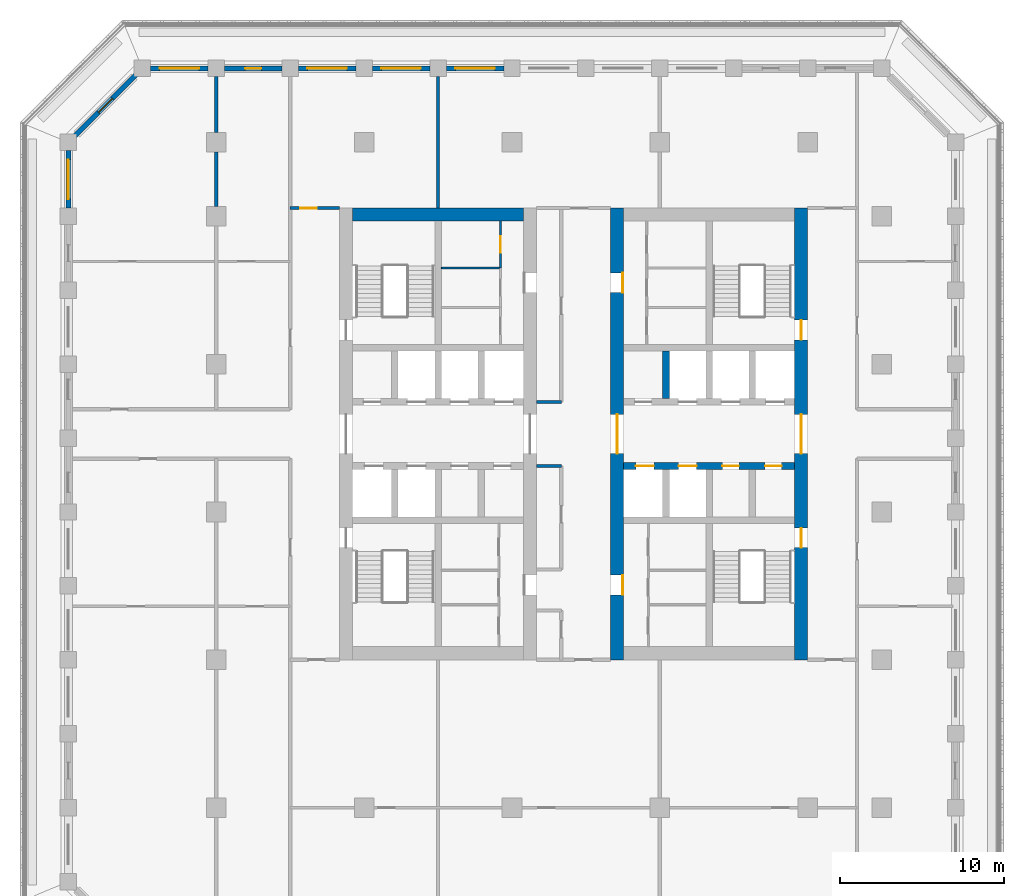
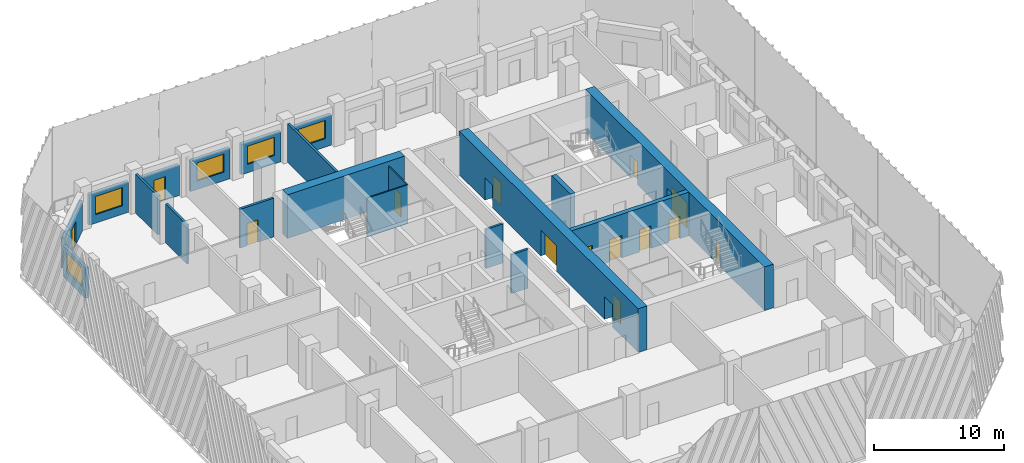
# One storey, part 6 of 16: 20 walls, 14 doors, 5 windows, 19 openings.
"""IFC4 building model written with IfcOpenShell, lengths in metres."""

from ifc_helpers import new_model, si_unit, direction, frame, frame_2d, origin, place, context, subcontext, project, spatial, rectangle, extrude, material, layer, layer_set, type_object, element, fill, save


model = new_model("IFC4")

# Units and contexts
model_context = context("Model", 3, precision=1e-05, world=origin(), true_north=direction((0.0, 1.0)))
body_context = subcontext(model_context, "Body", "Model", "MODEL_VIEW")
ifc_project = project(units=[si_unit("LENGTHUNIT", "METRE"), si_unit("AREAUNIT", "SQUARE_METRE"), si_unit("VOLUMEUNIT", "CUBIC_METRE"), si_unit("PLANEANGLEUNIT", "RADIAN"), si_unit("MASSUNIT", "GRAM", prefix="KILO")], contexts=[model_context])

# Site, building, storey
site_placement = place(None, origin())
site = spatial("IfcSite", under=ifc_project, at=site_placement, CompositionType="ELEMENT")
building_placement = place(site_placement, origin())
building = spatial("IfcBuilding", under=site, at=building_placement, Name="Corbel Stack Research Tower", CompositionType="ELEMENT")
storey_placement = place(building_placement, frame((0.0, 0.0, 173.199951171875)))
storey = spatial("IfcBuildingStorey", under=building, at=storey_placement, Name="L39", CompositionType="ELEMENT", Elevation=173.199951171875)

# Wall, openings, doors
ifc_material_1 = material(Name="Concrete C60/75", Category="concrete")
ifc_layer_1 = layer(ifc_material_1, 0.39990234375)
ifc_layer_set_1 = layer_set([ifc_layer_1], Name="Concrete C60/75")
wall_type_1 = type_object("IfcWallType", Name="CW-400-60", PredefinedType="SHEAR", material=ifc_layer_set_1)
wall_1_placement = place(storey_placement, frame((6.800048828125, 2.800048828125, 0.0), z_axis=(0.0, 0.0, 1.0), x_axis=(1.0, 0.0, 0.0)))
wall_1 = element("IfcWall", 1, at=wall_1_placement, inside=storey, type_object=wall_type_1, Name="East core wall, lobby south L39", PredefinedType="SHEAR", context=body_context, shape_type="SweptSolid", body=[
    extrude(rectangle(XDim=10.39990234375, YDim=0.39990234375, at=frame_2d((5.199951171875, 0.0))), origin(), (0.0, 0.0, 1.0), 4.10009765625),
])
opening_1_placement = place(wall_1_placement, frame((0.737548828125, 0.0, 0.0)))
opening_1 = element("IfcOpeningElement", 2, at=opening_1_placement, cuts=wall_1, Name="Opening LD-FS2", PredefinedType="OPENING", context=body_context, shape_type="SweptSolid", body=[
    extrude(rectangle(XDim=1.10009765625, YDim=2.10009765625, at=frame_2d((0.550048828125, 1.050048828125))), frame((0.0, 0.2099609375, 0.0), z_axis=(0.0, -1.0, 0.0), x_axis=(1.0, 0.0, 0.0)), (0.0, 0.0, 1.0), 0.419921875),
])
opening_2_placement = place(wall_1_placement, frame((3.33740234375, 0.0, 0.0)))
opening_2 = element("IfcOpeningElement", 3, at=opening_2_placement, cuts=wall_1, Name="Opening LD-GL2", PredefinedType="OPENING", context=body_context, shape_type="SweptSolid", body=[
    extrude(rectangle(XDim=1.10009765625, YDim=2.10009765625, at=frame_2d((0.550048828125, 1.050048828125))), frame((0.0, 0.2099609375, 0.0), z_axis=(0.0, -1.0, 0.0), x_axis=(1.0, 0.0, 0.0)), (0.0, 0.0, 1.0), 0.419921875),
])
opening_3_placement = place(wall_1_placement, frame((6.012451171875, 0.0, 0.0)))
opening_3 = element("IfcOpeningElement", 4, at=opening_3_placement, cuts=wall_1, Name="Opening CR-E12-S3", PredefinedType="OPENING", context=body_context, shape_type="SweptSolid", body=[
    extrude(rectangle(XDim=1.0, YDim=2.10009765625, at=frame_2d((0.5, 1.050048828125))), frame((0.0, 0.2099609375, 0.0), z_axis=(0.0, -1.0, 0.0), x_axis=(1.0, 0.0, 0.0)), (0.0, 0.0, 1.0), 0.419921875),
])
opening_4_placement = place(wall_1_placement, frame((8.612548828125, 0.0, 0.0)))
opening_4 = element("IfcOpeningElement", 5, at=opening_4_placement, cuts=wall_1, Name="Opening CR-E12-S4", PredefinedType="OPENING", context=body_context, shape_type="SweptSolid", body=[
    extrude(rectangle(XDim=1.0, YDim=2.10009765625, at=frame_2d((0.5, 1.050048828125))), frame((0.0, 0.2099609375, 0.0), z_axis=(0.0, -1.0, 0.0), x_axis=(1.0, 0.0, 0.0)), (0.0, 0.0, 1.0), 0.419921875),
])
ifc_material_2 = material(Name="Stainless steel landing door", Category="steel")
door_type_1 = type_object("IfcDoorType", Name="Lift landing door 1100 x 2100", OperationType="DOUBLE_DOOR_SLIDING", PredefinedType="DOOR", material=ifc_material_2)
door_1_placement = place(opening_1_placement, origin())
door_1 = element("IfcDoor", 6, at=door_1_placement, inside=storey, type_object=door_type_1, Name="Landing door FS2", OperationType="DOUBLE_DOOR_SLIDING", OverallHeight=2.10009765625, OverallWidth=1.10009765625, PredefinedType="DOOR", context=body_context, shape_type="SweptSolid", body=[
    extrude(rectangle(XDim=1.10009765625, YDim=2.10009765625, at=frame_2d((0.550048828125, 1.050048828125))), frame((0.0, 0.02490234375, 0.0), z_axis=(0.0, -1.0, 0.0), x_axis=(1.0, 0.0, 0.0)), (0.0, 0.0, 1.0), 0.050048828125),
])
fill(opening_1, door_1)
door_2_placement = place(opening_2_placement, origin())
door_2 = element("IfcDoor", 7, at=door_2_placement, inside=storey, type_object=door_type_1, Name="Landing door GL2", OperationType="DOUBLE_DOOR_SLIDING", OverallHeight=2.10009765625, OverallWidth=1.10009765625, PredefinedType="DOOR", context=body_context, shape_type="SweptSolid", body=[
    extrude(rectangle(XDim=1.10009765625, YDim=2.10009765625, at=frame_2d((0.550048828125, 1.050048828125))), frame((0.0, 0.02490234375, 0.0), z_axis=(0.0, -1.0, 0.0), x_axis=(1.0, 0.0, 0.0)), (0.0, 0.0, 1.0), 0.050048828125),
])
fill(opening_2, door_2)
ifc_material_3 = material(Name="Painted steel door", Category="steel")
door_type_2 = type_object("IfcDoorType", Name="Service door 1000 x 2100 FD60 left hand", OperationType="SINGLE_SWING_LEFT", PredefinedType="DOOR", material=ifc_material_3)
door_3_placement = place(opening_3_placement, origin())
door_3 = element("IfcDoor", 8, at=door_3_placement, inside=storey, type_object=door_type_2, Name="Staff WC door E core", OperationType="SINGLE_SWING_LEFT", OverallHeight=2.10009765625, OverallWidth=1.0, PredefinedType="DOOR", context=body_context, shape_type="SweptSolid", body=[
    extrude(rectangle(XDim=1.0, YDim=2.10009765625, at=frame_2d((0.5, 1.050048828125))), frame((0.0, 0.02490234375, 0.0), z_axis=(0.0, -1.0, 0.0), x_axis=(1.0, 0.0, 0.0)), (0.0, 0.0, 1.0), 0.050048828125),
])
fill(opening_3, door_3)
ifc_material_4 = material(Name="Painted steel door", Category="steel")
door_type_3 = type_object("IfcDoorType", Name="Service door 1000 x 2100 FD60 right hand", OperationType="SINGLE_SWING_RIGHT", PredefinedType="DOOR", material=ifc_material_4)
door_4_placement = place(opening_4_placement, origin())
door_4 = element("IfcDoor", 9, at=door_4_placement, inside=storey, type_object=door_type_3, Name="Laboratory consumables store door E core", OperationType="SINGLE_SWING_RIGHT", OverallHeight=2.10009765625, OverallWidth=1.0, PredefinedType="DOOR", context=body_context, shape_type="SweptSolid", body=[
    extrude(rectangle(XDim=1.0, YDim=2.10009765625, at=frame_2d((0.5, 1.050048828125))), frame((0.0, 0.02490234375, 0.0), z_axis=(0.0, -1.0, 0.0), x_axis=(1.0, 0.0, 0.0)), (0.0, 0.0, 1.0), 0.050048828125),
])
fill(opening_4, door_4)

# Walls
wall_2_placement = place(storey_placement, frame((9.375, 6.89990234375, 0.0), z_axis=(0.0, 0.0, 1.0), x_axis=(0.0, 1.0, 0.0)))
element("IfcWall", 10, at=wall_2_placement, inside=storey, type_object=wall_type_1, Name="East core wall, north shaft 1 L39", PredefinedType="SHEAR", context=body_context, shape_type="SweptSolid", body=[
    extrude(rectangle(XDim=2.900146484375, YDim=0.39990234375, at=frame_2d((1.4501953125, 0.0))), origin(), (0.0, 0.0, 1.0), 4.10009765625),
])
ifc_material_5 = material(Name="Concrete C60/75", Category="concrete")
ifc_layer_2 = layer(ifc_material_5, 0.800048828125)
ifc_layer_set_2 = layer_set([ifc_layer_2], Name="Concrete C60/75")
wall_type_2 = type_object("IfcWallType", Name="CW-800-60", PredefinedType="SHEAR", material=ifc_layer_set_2)
wall_3_placement = place(storey_placement, frame((-9.699951171875, 18.10009765625, 0.0), z_axis=(0.0, 0.0, 1.0), x_axis=(1.0, 0.0, 0.0)))
element("IfcWall", 11, at=wall_3_placement, inside=storey, type_object=wall_type_2, Name="West core wall, north end L39", PredefinedType="SHEAR", context=body_context, shape_type="SweptSolid", body=[
    extrude(rectangle(XDim=10.39990234375, YDim=0.800048828125, at=frame_2d((5.199951171875, 0.0))), origin(), (0.0, 0.0, 1.0), 4.10009765625),
])

# Wall, openings, doors
wall_4_placement = place(storey_placement, frame((6.39990234375, -9.0, 0.0), z_axis=(0.0, 0.0, 1.0), x_axis=(0.0, 1.0, 0.0)))
wall_4 = element("IfcWall", 12, at=wall_4_placement, inside=storey, type_object=wall_type_2, Name="East core wall, west face L39", PredefinedType="SHEAR", context=body_context, shape_type="SweptSolid", body=[
    extrude(rectangle(XDim=27.5, YDim=0.800048828125, at=frame_2d((13.75, 0.0))), origin(), (0.0, 0.0, 1.0), 4.10009765625),
])
opening_5_placement = place(wall_4_placement, frame((12.550048828125, 0.0, 0.0)))
opening_5 = element("IfcOpeningElement", 13, at=opening_5_placement, cuts=wall_4, Name="Opening CD-E-W", PredefinedType="OPENING", context=body_context, shape_type="SweptSolid", body=[
    extrude(rectangle(XDim=2.39990234375, YDim=2.39990234375, at=frame_2d((1.199951171875, 1.199951171875))), frame((0.0, 0.409912109375, 0.0), z_axis=(0.0, -1.0, 0.0), x_axis=(1.0, 0.0, 0.0)), (0.0, 0.0, 1.0), 0.820068359375),
])
opening_6_placement = place(wall_4_placement, frame((3.949951171875, 0.0, 0.0)))
opening_6 = element("IfcOpeningElement", 14, at=opening_6_placement, cuts=wall_4, Name="Opening CR-E12-W1-1200", PredefinedType="OPENING", context=body_context, shape_type="SweptSolid", body=[
    extrude(rectangle(XDim=1.199951171875, YDim=2.10009765625, at=frame_2d((0.60009765625, 1.050048828125))), frame((0.0, 0.409912109375, 0.0), z_axis=(0.0, -1.0, 0.0), x_axis=(1.0, 0.0, 0.0)), (0.0, 0.0, 1.0), 0.820068359375),
])
opening_7_placement = place(wall_4_placement, frame((22.35009765625, 0.0, 0.0)))
opening_7 = element("IfcOpeningElement", 15, at=opening_7_placement, cuts=wall_4, Name="Opening CR-E12-R1-1200", PredefinedType="OPENING", context=body_context, shape_type="SweptSolid", body=[
    extrude(rectangle(XDim=1.199951171875, YDim=2.10009765625, at=frame_2d((0.60009765625, 1.050048828125))), frame((0.0, 0.409912109375, 0.0), z_axis=(0.0, -1.0, 0.0), x_axis=(1.0, 0.0, 0.0)), (0.0, 0.0, 1.0), 0.820068359375),
])
ifc_material_6 = material(Name="Painted steel fire door", Category="steel")
door_type_4 = type_object("IfcDoorType", Name="Lobby door pair 2400 x 2400 FD30S", OperationType="DOUBLE_DOOR_DOUBLE_SWING", PredefinedType="DOOR", material=ifc_material_6)
door_5_placement = place(opening_5_placement, origin())
door_5 = element("IfcDoor", 16, at=door_5_placement, inside=storey, type_object=door_type_4, Name="Lift lobby door E core W", OperationType="DOUBLE_DOOR_DOUBLE_SWING", OverallHeight=2.39990234375, OverallWidth=2.39990234375, PredefinedType="DOOR", context=body_context, shape_type="SweptSolid", body=[
    extrude(rectangle(XDim=2.39990234375, YDim=2.39990234375, at=frame_2d((1.199951171875, 1.199951171875))), frame((0.0, 0.02490234375, 0.0), z_axis=(0.0, -1.0, 0.0), x_axis=(1.0, 0.0, 0.0)), (0.0, 0.0, 1.0), 0.050048828125),
])
fill(opening_5, door_5)
ifc_material_7 = material(Name="Painted steel door", Category="steel")
door_type_5 = type_object("IfcDoorType", Name="Service door 1200 x 2100 FD30 right hand", OperationType="SINGLE_SWING_RIGHT", PredefinedType="DOOR", material=ifc_material_7)
door_6_placement = place(opening_7_placement, origin())
door_6 = element("IfcDoor", 17, at=door_6_placement, inside=storey, type_object=door_type_5, Name="Service passage door E core", OperationType="SINGLE_SWING_RIGHT", OverallHeight=2.10009765625, OverallWidth=1.199951171875, PredefinedType="DOOR", context=body_context, shape_type="SweptSolid", body=[
    extrude(rectangle(XDim=1.199951171875, YDim=2.10009765625, at=frame_2d((0.60009765625, 1.050048828125))), frame((0.0, -0.3251953125, 0.0), z_axis=(0.0, -1.0, 0.0), x_axis=(1.0, 0.0, 0.0)), (0.0, 0.0, 1.0), 0.050048828125),
])
fill(opening_7, door_6)
ifc_material_8 = material(Name="Painted timber door", Category="wood")
door_type_6 = type_object("IfcDoorType", Name="WC door 1200 x 2100 right hand", OperationType="SINGLE_SWING_RIGHT", PredefinedType="DOOR", material=ifc_material_8)
door_7_placement = place(opening_6_placement, origin())
door_7 = element("IfcDoor", 18, at=door_7_placement, inside=storey, type_object=door_type_6, Name="WC lobby door E core", OperationType="SINGLE_SWING_RIGHT", OverallHeight=2.10009765625, OverallWidth=1.199951171875, PredefinedType="DOOR", context=body_context, shape_type="SweptSolid", body=[
    extrude(rectangle(XDim=1.199951171875, YDim=2.10009765625, at=frame_2d((0.60009765625, 1.050048828125))), frame((0.0, -0.3251953125, 0.0), z_axis=(0.0, -1.0, 0.0), x_axis=(1.0, 0.0, 0.0)), (0.0, 0.0, 1.0), 0.050048828125),
])
fill(opening_6, door_7)

wall_5_placement = place(storey_placement, frame((17.60009765625, -9.0, 0.0), z_axis=(0.0, 0.0, 1.0), x_axis=(0.0, 1.0, 0.0)))
wall_5 = element("IfcWall", 19, at=wall_5_placement, inside=storey, type_object=wall_type_2, Name="East core wall, east face L39", PredefinedType="SHEAR", context=body_context, shape_type="SweptSolid", body=[
    extrude(rectangle(XDim=27.5, YDim=0.800048828125, at=frame_2d((13.75, 0.0))), origin(), (0.0, 0.0, 1.0), 4.10009765625),
])
opening_8_placement = place(wall_5_placement, frame((12.550048828125, 0.0, 0.0)))
opening_8 = element("IfcOpeningElement", 20, at=opening_8_placement, cuts=wall_5, Name="Opening CD-E-E", PredefinedType="OPENING", context=body_context, shape_type="SweptSolid", body=[
    extrude(rectangle(XDim=2.39990234375, YDim=2.39990234375, at=frame_2d((1.199951171875, 1.199951171875))), frame((0.0, 0.409912109375, 0.0), z_axis=(0.0, -1.0, 0.0), x_axis=(1.0, 0.0, 0.0)), (0.0, 0.0, 1.0), 0.820068359375),
])
opening_9_placement = place(wall_5_placement, frame((6.824951171875, 0.0, 0.0)))
opening_9 = element("IfcOpeningElement", 21, at=opening_9_placement, cuts=wall_5, Name="Opening SD-ST-E1", PredefinedType="OPENING", context=body_context, shape_type="SweptSolid", body=[
    extrude(rectangle(XDim=1.199951171875, YDim=2.10009765625, at=frame_2d((0.60009765625, 1.050048828125))), frame((0.0, 0.409912109375, 0.0), z_axis=(0.0, -1.0, 0.0), x_axis=(1.0, 0.0, 0.0)), (0.0, 0.0, 1.0), 0.820068359375),
])
opening_10_placement = place(wall_5_placement, frame((19.47509765625, 0.0, 0.0)))
opening_10 = element("IfcOpeningElement", 22, at=opening_10_placement, cuts=wall_5, Name="Opening SD-ST-E2", PredefinedType="OPENING", context=body_context, shape_type="SweptSolid", body=[
    extrude(rectangle(XDim=1.199951171875, YDim=2.10009765625, at=frame_2d((0.60009765625, 1.050048828125))), frame((0.0, 0.409912109375, 0.0), z_axis=(0.0, -1.0, 0.0), x_axis=(1.0, 0.0, 0.0)), (0.0, 0.0, 1.0), 0.820068359375),
])
door_8_placement = place(opening_8_placement, origin())
door_8 = element("IfcDoor", 23, at=door_8_placement, inside=storey, type_object=door_type_4, Name="Lift lobby door E core E", OperationType="DOUBLE_DOOR_DOUBLE_SWING", OverallHeight=2.39990234375, OverallWidth=2.39990234375, PredefinedType="DOOR", context=body_context, shape_type="SweptSolid", body=[
    extrude(rectangle(XDim=2.39990234375, YDim=2.39990234375, at=frame_2d((1.199951171875, 1.199951171875))), frame((0.0, 0.02490234375, 0.0), z_axis=(0.0, -1.0, 0.0), x_axis=(1.0, 0.0, 0.0)), (0.0, 0.0, 1.0), 0.050048828125),
])
fill(opening_8, door_8)
ifc_material_9 = material(Name="Painted steel fire door", Category="steel")
door_type_7 = type_object("IfcDoorType", Name="Stair door 1200 x 2100 FD90 right hand", OperationType="SINGLE_SWING_RIGHT", PredefinedType="DOOR", material=ifc_material_9)
door_9_placement = place(opening_9_placement, frame((1.199951171875, 0.0, 0.0), z_axis=(0.0, 0.0, 1.0), x_axis=(-1.0, 0.0, 0.0)))
door_9 = element("IfcDoor", 24, at=door_9_placement, inside=storey, type_object=door_type_7, Name="Stair door ST-E1", OperationType="SINGLE_SWING_LEFT", OverallHeight=2.10009765625, OverallWidth=1.199951171875, PredefinedType="DOOR", context=body_context, shape_type="SweptSolid", body=[
    extrude(rectangle(XDim=1.199951171875, YDim=2.10009765625, at=frame_2d((0.60009765625, 1.050048828125))), frame((0.0, 0.02490234375, 0.0), z_axis=(0.0, -1.0, 0.0), x_axis=(1.0, 0.0, 0.0)), (0.0, 0.0, 1.0), 0.050048828125),
])
fill(opening_9, door_9)
door_10_placement = place(opening_10_placement, frame((1.199951171875, 0.0, 0.0), z_axis=(0.0, 0.0, 1.0), x_axis=(-1.0, 0.0, 0.0)))
door_10 = element("IfcDoor", 25, at=door_10_placement, inside=storey, type_object=door_type_7, Name="Stair door ST-E2", OperationType="SINGLE_SWING_LEFT", OverallHeight=2.10009765625, OverallWidth=1.199951171875, PredefinedType="DOOR", context=body_context, shape_type="SweptSolid", body=[
    extrude(rectangle(XDim=1.199951171875, YDim=2.10009765625, at=frame_2d((0.60009765625, 1.050048828125))), frame((0.0, 0.02490234375, 0.0), z_axis=(0.0, -1.0, 0.0), x_axis=(1.0, 0.0, 0.0)), (0.0, 0.0, 1.0), 0.050048828125),
])
fill(opening_10, door_10)

# Wall, opening, door
ifc_material_10 = material(Name="Gypsum board")
ifc_layer_3 = layer(ifc_material_10, 0.10009765625)
ifc_layer_set_3 = layer_set([ifc_layer_3], Name="Gypsum board")
wall_type_3 = type_object("IfcWallType", Name="Core partition 100", PredefinedType="PARTITIONING", material=ifc_layer_set_3)
wall_6_placement = place(storey_placement, frame((-0.699951171875, 14.85009765625, 0.0), z_axis=(0.0, 0.0, 1.0), x_axis=(0.0, 1.0, 0.0)))
wall_6 = element("IfcWall", 26, at=wall_6_placement, inside=storey, type_object=wall_type_3, Name="Core partition W", PredefinedType="PARTITIONING", context=body_context, shape_type="SweptSolid", body=[
    extrude(rectangle(XDim=2.849853515625, YDim=0.10009765625, at=frame_2d((1.4248046875, 0.0))), origin(), (0.0, 0.0, 1.0), 3.650146484375),
])
opening_11_placement = place(wall_6_placement, frame((0.925048828125, 0.0, 0.0)))
opening_11 = element("IfcOpeningElement", 27, at=opening_11_placement, cuts=wall_6, Name="Opening CR-W12-R4-1000", PredefinedType="OPENING", context=body_context, shape_type="SweptSolid", body=[
    extrude(rectangle(XDim=1.0, YDim=2.10009765625, at=frame_2d((0.5, 1.050048828125))), frame((0.0, 0.06005859375, 0.0), z_axis=(0.0, -1.0, 0.0), x_axis=(1.0, 0.0, 0.0)), (0.0, 0.0, 1.0), 0.1201171875),
])
ifc_material_11 = material(Name="Painted steel door", Category="steel")
door_type_8 = type_object("IfcDoorType", Name="Riser door 1000 x 2100 FD60 right hand", OperationType="SINGLE_SWING_RIGHT", PredefinedType="DOOR", material=ifc_material_11)
door_11_placement = place(opening_11_placement, origin())
door_11 = element("IfcDoor", 28, at=door_11_placement, inside=storey, type_object=door_type_8, Name="Electrical riser door W core", OperationType="SINGLE_SWING_RIGHT", OverallHeight=2.10009765625, OverallWidth=1.0, PredefinedType="DOOR", context=body_context, shape_type="SweptSolid", body=[
    extrude(rectangle(XDim=1.0, YDim=2.10009765625, at=frame_2d((0.5, 1.050048828125))), frame((0.0, 0.02490234375, 0.0), z_axis=(0.0, -1.0, 0.0), x_axis=(1.0, 0.0, 0.0)), (0.0, 0.0, 1.0), 0.050048828125),
])
fill(opening_11, door_11)

# Walls
wall_7_placement = place(storey_placement, frame((-4.300048828125, 14.85009765625, 0.0), z_axis=(0.0, 0.0, 1.0), x_axis=(1.0, 0.0, 0.0)))
element("IfcWall", 29, at=wall_7_placement, inside=storey, type_object=wall_type_3, Name="Core partition W", PredefinedType="PARTITIONING", context=body_context, shape_type="SweptSolid", body=[
    extrude(rectangle(XDim=3.60009765625, YDim=0.10009765625, at=frame_2d((1.800048828125, 0.0))), origin(), (0.0, 0.0, 1.0), 3.650146484375),
])
ifc_material_12 = material(Name="Fire-rated gypsum board partition on steel studs", Category="steel")
ifc_layer_4 = layer(ifc_material_12, 0.199951171875)
ifc_layer_set_4 = layer_set([ifc_layer_4], Name="Fire-rated gypsum board partition on steel studs")
wall_type_4 = type_object("IfcWallType", Name="Fire-rated partition 200 EI 60", PredefinedType="PARTITIONING", material=ifc_layer_set_4)
wall_8_placement = place(storey_placement, frame((-18.0, 18.60009765625, 0.0), z_axis=(0.0, 0.0, 1.0), x_axis=(0.0, 1.0, 0.0)))
element("IfcWall", 30, at=wall_8_placement, inside=storey, type_object=wall_type_4, Name="Partition L39-007", PredefinedType="PARTITIONING", context=body_context, shape_type="SweptSolid", body=[
    extrude(rectangle(XDim=3.2998046875, YDim=0.199951171875, at=frame_2d((1.64990234375, 0.0))), origin(), (0.0, 0.0, 1.0), 3.650146484375),
])
wall_9_placement = place(storey_placement, frame((-18.0, 23.10009765625, 0.0), z_axis=(0.0, 0.0, 1.0), x_axis=(0.0, 1.0, 0.0)))
element("IfcWall", 31, at=wall_9_placement, inside=storey, type_object=wall_type_4, Name="Partition L39-008", PredefinedType="PARTITIONING", context=body_context, shape_type="SweptSolid", body=[
    extrude(rectangle(XDim=3.39990234375, YDim=0.199951171875, at=frame_2d((1.699951171875, 0.0))), origin(), (0.0, 0.0, 1.0), 3.650146484375),
])
wall_10_placement = place(storey_placement, frame((-4.5, 18.5, 0.0), z_axis=(0.0, 0.0, 1.0), x_axis=(0.0, 1.0, 0.0)))
element("IfcWall", 32, at=wall_10_placement, inside=storey, type_object=wall_type_4, Name="Partition L39-012", PredefinedType="PARTITIONING", context=body_context, shape_type="SweptSolid", body=[
    extrude(rectangle(XDim=8.0, YDim=0.199951171875, at=frame_2d((4.0, 0.0))), origin(), (0.0, 0.0, 1.0), 3.650146484375),
])
for number, where, z_axis, x_axis, name in (
    (33, (1.5, 2.800048828125, 0.0), (0.0, 0.0, 1.0), (1.0, 0.0, 0.0), "Partition L39-034"),
    (34, (1.5, 6.699951171875, 0.0), (0.0, 0.0, 1.0), (1.0, 0.0, 0.0), "Partition L39-039"),
):
    element("IfcWall", number, at=place(storey_placement, frame(where, z_axis=z_axis, x_axis=x_axis)), inside=storey, type_object=wall_type_4, Name=name, PredefinedType="PARTITIONING", context=body_context, shape_type="SweptSolid", body=[
        extrude(rectangle(XDim=1.5, YDim=0.199951171875, at=frame_2d((0.75, 0.0))), origin(), (0.0, 0.0, 1.0), 3.650146484375),
    ])

# Wall, opening, door
wall_11_placement = place(storey_placement, frame((-13.5, 18.5, 0.0), z_axis=(0.0, 0.0, 1.0), x_axis=(1.0, 0.0, 0.0)))
wall_11 = element("IfcWall", 35, at=wall_11_placement, inside=storey, type_object=wall_type_4, Name="Partition L39-042", PredefinedType="PARTITIONING", context=body_context, shape_type="SweptSolid", body=[
    extrude(rectangle(XDim=3.0, YDim=0.199951171875, at=frame_2d((1.5, 0.0))), origin(), (0.0, 0.0, 1.0), 3.650146484375),
])
opening_12_placement = place(wall_11_placement, frame((0.60009765625, 0.0, 0.0)))
opening_12 = element("IfcOpeningElement", 36, at=opening_12_placement, cuts=wall_11, Name="Opening B5V1-020", PredefinedType="OPENING", context=body_context, shape_type="SweptSolid", body=[
    extrude(rectangle(XDim=1.0, YDim=2.10009765625, at=frame_2d((0.5, 1.050048828125))), frame((0.0, 0.10986328125, 0.0), z_axis=(0.0, -1.0, 0.0), x_axis=(1.0, 0.0, 0.0)), (0.0, 0.0, 1.0), 0.219970703125),
])
ifc_material_13 = material(Name="Painted steel fire door", Category="steel")
door_type_9 = type_object("IfcDoorType", Name="Fire door FD30S 1000 x 2100", OperationType="NOTDEFINED", PredefinedType="DOOR", material=ifc_material_13)
door_12_placement = place(opening_12_placement, origin())
door_12 = element("IfcDoor", 37, at=door_12_placement, inside=storey, type_object=door_type_9, Name="Door B5V1-020", OperationType="SINGLE_SWING_LEFT", OverallHeight=2.10009765625, OverallWidth=1.0, PredefinedType="DOOR", context=body_context, shape_type="SweptSolid", body=[
    extrude(rectangle(XDim=1.0, YDim=2.10009765625, at=frame_2d((0.5, 1.050048828125))), frame((0.0, 0.02490234375, 0.0), z_axis=(0.0, -1.0, 0.0), x_axis=(1.0, 0.0, 0.0)), (0.0, 0.0, 1.0), 0.050048828125),
])
fill(opening_12, door_12)

# Wall, opening, window
ifc_material_14 = material(Name="Concrete C45/55", Category="concrete")
ifc_layer_5 = layer(ifc_material_14, 0.300048828125)
ifc_layer_set_5 = layer_set([ifc_layer_5], Name="Concrete C45/55")
wall_type_5 = type_object("IfcWallType", Name="Terracotta-faced concrete wall 300", PredefinedType="SOLIDWALL", material=ifc_layer_set_5)
wall_12_placement = place(storey_placement, frame((-4.0, 27.0, 0.0), z_axis=(0.0, 0.0, 1.0), x_axis=(1.0, 0.0, 0.0)))
wall_12 = element("IfcWall", 38, at=wall_12_placement, inside=storey, type_object=wall_type_5, Name="Facade wall L39 N06", PredefinedType="SOLIDWALL", context=body_context, shape_type="SweptSolid", body=[
    extrude(rectangle(XDim=3.5, YDim=0.300048828125, at=frame_2d((1.75, 0.0))), origin(), (0.0, 0.0, 1.0), 2.85009765625),
])
opening_13_placement = place(wall_12_placement, frame((0.550048828125, 0.0, 0.800048828125)))
opening_13 = element("IfcOpeningElement", 39, at=opening_13_placement, cuts=wall_12, Name="Opening W1", PredefinedType="OPENING", context=body_context, shape_type="SweptSolid", body=[
    extrude(rectangle(XDim=2.39990234375, YDim=1.699951171875, at=frame_2d((1.199951171875, 0.85009765625))), frame((0.0, 0.159912109375, 0.0), z_axis=(0.0, -1.0, 0.0), x_axis=(1.0, 0.0, 0.0)), (0.0, 0.0, 1.0), 0.320068359375),
])
ifc_material_15 = material(Name="Aluminium frame, clear double glazing", Category="aluminium")
window_type = type_object("IfcWindowType", Name="Window W1 2400 x 1700", PartitioningType="SINGLE_PANEL", PredefinedType="WINDOW", material=ifc_material_15)
window_1_placement = place(opening_13_placement, origin())
window_1 = element("IfcWindow", 40, at=window_1_placement, inside=storey, type_object=window_type, Name="Window W1 L39 N06", OverallHeight=1.699951171875, OverallWidth=2.39990234375, PartitioningType="SINGLE_PANEL", PredefinedType="WINDOW", context=body_context, shape_type="SweptSolid", body=[
    extrude(rectangle(XDim=2.39990234375, YDim=1.699951171875, at=frame_2d((1.199951171875, 0.85009765625))), frame((0.0, 0.030029296875, 0.0), z_axis=(0.0, -1.0, 0.0), x_axis=(1.0, 0.0, 0.0)), (0.0, 0.0, 1.0), 0.06005859375),
])
fill(opening_13, window_1)

wall_13_placement = place(storey_placement, frame((-8.5, 27.0, 0.0), z_axis=(0.0, 0.0, 1.0), x_axis=(1.0, 0.0, 0.0)))
wall_13 = element("IfcWall", 41, at=wall_13_placement, inside=storey, type_object=wall_type_5, Name="Facade wall L39 N07", PredefinedType="SOLIDWALL", context=body_context, shape_type="SweptSolid", body=[
    extrude(rectangle(XDim=3.5, YDim=0.300048828125, at=frame_2d((1.75, 0.0))), origin(), (0.0, 0.0, 1.0), 2.85009765625),
])
opening_14_placement = place(wall_13_placement, frame((0.550048828125, 0.0, 0.800048828125)))
opening_14 = element("IfcOpeningElement", 42, at=opening_14_placement, cuts=wall_13, Name="Opening W1", PredefinedType="OPENING", context=body_context, shape_type="SweptSolid", body=[
    extrude(rectangle(XDim=2.39990234375, YDim=1.699951171875, at=frame_2d((1.199951171875, 0.85009765625))), frame((0.0, 0.159912109375, 0.0), z_axis=(0.0, -1.0, 0.0), x_axis=(1.0, 0.0, 0.0)), (0.0, 0.0, 1.0), 0.320068359375),
])
window_2_placement = place(opening_14_placement, origin())
window_2 = element("IfcWindow", 43, at=window_2_placement, inside=storey, type_object=window_type, Name="Window W1 L39 N07", OverallHeight=1.699951171875, OverallWidth=2.39990234375, PartitioningType="SINGLE_PANEL", PredefinedType="WINDOW", context=body_context, shape_type="SweptSolid", body=[
    extrude(rectangle(XDim=2.39990234375, YDim=1.699951171875, at=frame_2d((1.199951171875, 0.85009765625))), frame((0.0, 0.030029296875, 0.0), z_axis=(0.0, -1.0, 0.0), x_axis=(1.0, 0.0, 0.0)), (0.0, 0.0, 1.0), 0.06005859375),
])
fill(opening_14, window_2)

wall_14_placement = place(storey_placement, frame((-13.0, 27.0, 0.0), z_axis=(0.0, 0.0, 1.0), x_axis=(1.0, 0.0, 0.0)))
wall_14 = element("IfcWall", 44, at=wall_14_placement, inside=storey, type_object=wall_type_5, Name="Facade wall L39 N08", PredefinedType="SOLIDWALL", context=body_context, shape_type="SweptSolid", body=[
    extrude(rectangle(XDim=3.5, YDim=0.300048828125, at=frame_2d((1.75, 0.0))), origin(), (0.0, 0.0, 1.0), 2.85009765625),
])
opening_15_placement = place(wall_14_placement, frame((0.550048828125, 0.0, 0.800048828125)))
opening_15 = element("IfcOpeningElement", 45, at=opening_15_placement, cuts=wall_14, Name="Opening W1", PredefinedType="OPENING", context=body_context, shape_type="SweptSolid", body=[
    extrude(rectangle(XDim=2.39990234375, YDim=1.699951171875, at=frame_2d((1.199951171875, 0.85009765625))), frame((0.0, 0.159912109375, 0.0), z_axis=(0.0, -1.0, 0.0), x_axis=(1.0, 0.0, 0.0)), (0.0, 0.0, 1.0), 0.320068359375),
])
window_3_placement = place(opening_15_placement, origin())
window_3 = element("IfcWindow", 46, at=window_3_placement, inside=storey, type_object=window_type, Name="Window W1 L39 N08", OverallHeight=1.699951171875, OverallWidth=2.39990234375, PartitioningType="SINGLE_PANEL", PredefinedType="WINDOW", context=body_context, shape_type="SweptSolid", body=[
    extrude(rectangle(XDim=2.39990234375, YDim=1.699951171875, at=frame_2d((1.199951171875, 0.85009765625))), frame((0.0, 0.030029296875, 0.0), z_axis=(0.0, -1.0, 0.0), x_axis=(1.0, 0.0, 0.0)), (0.0, 0.0, 1.0), 0.06005859375),
])
fill(opening_15, window_3)

# Wall, opening, door
wall_15_placement = place(storey_placement, frame((-17.5, 27.0, 0.0), z_axis=(0.0, 0.0, 1.0), x_axis=(1.0, 0.0, 0.0)))
wall_15 = element("IfcWall", 47, at=wall_15_placement, inside=storey, type_object=wall_type_5, Name="Facade wall L39 N09", PredefinedType="SOLIDWALL", context=body_context, shape_type="SweptSolid", body=[
    extrude(rectangle(XDim=3.5, YDim=0.300048828125, at=frame_2d((1.75, 0.0))), origin(), (0.0, 0.0, 1.0), 2.85009765625),
])
opening_16_placement = place(wall_15_placement, frame((1.25, 0.0, 0.0)))
opening_16 = element("IfcOpeningElement", 48, at=opening_16_placement, cuts=wall_15, Name="Opening L39-B08", PredefinedType="OPENING", context=body_context, shape_type="SweptSolid", body=[
    extrude(rectangle(XDim=1.0, YDim=2.199951171875, at=frame_2d((0.5, 1.10009765625))), frame((0.0, 0.159912109375, 0.0), z_axis=(0.0, -1.0, 0.0), x_axis=(1.0, 0.0, 0.0)), (0.0, 0.0, 1.0), 0.320068359375),
])
ifc_material_16 = material(Name="Aluminium frame, clear double glazing", Category="aluminium")
door_type_10 = type_object("IfcDoorType", Name="Balcony door BD1 1000 x 2200", OperationType="NOTDEFINED", PredefinedType="DOOR", material=ifc_material_16)
door_13_placement = place(opening_16_placement, origin())
door_13 = element("IfcDoor", 49, at=door_13_placement, inside=storey, type_object=door_type_10, Name="Balcony door L39-B08", OperationType="SINGLE_SWING_RIGHT", OverallHeight=2.199951171875, OverallWidth=1.0, PredefinedType="DOOR", context=body_context, shape_type="SweptSolid", body=[
    extrude(rectangle(XDim=1.0, YDim=2.199951171875, at=frame_2d((0.5, 1.10009765625))), frame((0.0, 0.02490234375, 0.0), z_axis=(0.0, -1.0, 0.0), x_axis=(1.0, 0.0, 0.0)), (0.0, 0.0, 1.0), 0.050048828125),
])
fill(opening_16, door_13)

# Wall, opening, window
wall_16_placement = place(storey_placement, frame((-22.0, 27.0, 0.0), z_axis=(0.0, 0.0, 1.0), x_axis=(1.0, 0.0, 0.0)))
wall_16 = element("IfcWall", 50, at=wall_16_placement, inside=storey, type_object=wall_type_5, Name="Facade wall L39 N10", PredefinedType="SOLIDWALL", context=body_context, shape_type="SweptSolid", body=[
    extrude(rectangle(XDim=3.5, YDim=0.300048828125, at=frame_2d((1.75, 0.0))), origin(), (0.0, 0.0, 1.0), 2.85009765625),
])
opening_17_placement = place(wall_16_placement, frame((0.550048828125, 0.0, 0.800048828125)))
opening_17 = element("IfcOpeningElement", 51, at=opening_17_placement, cuts=wall_16, Name="Opening W1", PredefinedType="OPENING", context=body_context, shape_type="SweptSolid", body=[
    extrude(rectangle(XDim=2.39990234375, YDim=1.699951171875, at=frame_2d((1.199951171875, 0.85009765625))), frame((0.0, 0.159912109375, 0.0), z_axis=(0.0, -1.0, 0.0), x_axis=(1.0, 0.0, 0.0)), (0.0, 0.0, 1.0), 0.320068359375),
])
window_4_placement = place(opening_17_placement, origin())
window_4 = element("IfcWindow", 52, at=window_4_placement, inside=storey, type_object=window_type, Name="Window W1 L39 N10", OverallHeight=1.699951171875, OverallWidth=2.39990234375, PartitioningType="SINGLE_PANEL", PredefinedType="WINDOW", context=body_context, shape_type="SweptSolid", body=[
    extrude(rectangle(XDim=2.39990234375, YDim=1.699951171875, at=frame_2d((1.199951171875, 0.85009765625))), frame((0.0, 0.030029296875, 0.0), z_axis=(0.0, -1.0, 0.0), x_axis=(1.0, 0.0, 0.0)), (0.0, 0.0, 1.0), 0.06005859375),
])
fill(opening_17, window_4)

# Wall, opening, door
wall_17_placement = place(storey_placement, frame((-26.606201171875, 22.893798828125, 0.0), z_axis=(0.0, 0.0, 1.0), x_axis=(0.707106781187, 0.707106781187, 0.0)))
wall_17 = element("IfcWall", 53, at=wall_17_placement, inside=storey, type_object=wall_type_5, Name="Facade wall L39 NW01", PredefinedType="SOLIDWALL", context=body_context, shape_type="SweptSolid", body=[
    extrude(rectangle(XDim=5.250244140625, YDim=0.300048828125, at=frame_2d((2.625, 0.0))), origin(), (0.0, 0.0, 1.0), 2.85009765625),
])
opening_18_placement = place(wall_17_placement, frame((2.02490234375, 0.0, 0.0)))
opening_18 = element("IfcOpeningElement", 54, at=opening_18_placement, cuts=wall_17, Name="Opening L39-B09", PredefinedType="OPENING", context=body_context, shape_type="SweptSolid", body=[
    extrude(rectangle(XDim=1.199951171875, YDim=2.199951171875, at=frame_2d((0.60009765625, 1.10009765625))), frame((0.0, 0.159912109375, 0.0), z_axis=(0.0, -1.0, 0.0), x_axis=(1.0, 0.0, 0.0)), (0.0, 0.0, 1.0), 0.320068359375),
])
ifc_material_17 = material(Name="Aluminium frame, clear double glazing", Category="aluminium")
door_type_11 = type_object("IfcDoorType", Name="Balcony door BD2 1200 x 2200", OperationType="NOTDEFINED", PredefinedType="DOOR", material=ifc_material_17)
door_14_placement = place(opening_18_placement, origin())
door_14 = element("IfcDoor", 55, at=door_14_placement, inside=storey, type_object=door_type_11, Name="Balcony door L39-B09", OperationType="SINGLE_SWING_RIGHT", OverallHeight=2.199951171875, OverallWidth=1.199951171875, PredefinedType="DOOR", context=body_context, shape_type="SweptSolid", body=[
    extrude(rectangle(XDim=1.199951171875, YDim=2.199951171875, at=frame_2d((0.60009765625, 1.10009765625))), frame((0.0, 0.02490234375, 0.0), z_axis=(0.0, -1.0, 0.0), x_axis=(1.0, 0.0, 0.0)), (0.0, 0.0, 1.0), 0.050048828125),
])
fill(opening_18, door_14)

# Wall, opening, window
wall_18_placement = place(storey_placement, frame((-27.0, 18.5, 0.0), z_axis=(0.0, 0.0, 1.0), x_axis=(0.0, 1.0, 0.0)))
wall_18 = element("IfcWall", 56, at=wall_18_placement, inside=storey, type_object=wall_type_5, Name="Facade wall L39 W01", PredefinedType="SOLIDWALL", context=body_context, shape_type="SweptSolid", body=[
    extrude(rectangle(XDim=3.5, YDim=0.300048828125, at=frame_2d((1.75, 0.0))), origin(), (0.0, 0.0, 1.0), 2.85009765625),
])
opening_19_placement = place(wall_18_placement, frame((0.550048828125, 0.0, 0.800048828125)))
opening_19 = element("IfcOpeningElement", 57, at=opening_19_placement, cuts=wall_18, Name="Opening W1", PredefinedType="OPENING", context=body_context, shape_type="SweptSolid", body=[
    extrude(rectangle(XDim=2.39990234375, YDim=1.699951171875, at=frame_2d((1.199951171875, 0.85009765625))), frame((0.0, 0.159912109375, 0.0), z_axis=(0.0, -1.0, 0.0), x_axis=(1.0, 0.0, 0.0)), (0.0, 0.0, 1.0), 0.320068359375),
])
window_5_placement = place(opening_19_placement, origin())
window_5 = element("IfcWindow", 58, at=window_5_placement, inside=storey, type_object=window_type, Name="Window W1 L39 W01", OverallHeight=1.699951171875, OverallWidth=2.39990234375, PartitioningType="SINGLE_PANEL", PredefinedType="WINDOW", context=body_context, shape_type="SweptSolid", body=[
    extrude(rectangle(XDim=2.39990234375, YDim=1.699951171875, at=frame_2d((1.199951171875, 0.85009765625))), frame((0.0, 0.030029296875, 0.0), z_axis=(0.0, -1.0, 0.0), x_axis=(1.0, 0.0, 0.0)), (0.0, 0.0, 1.0), 0.06005859375),
])
fill(opening_19, window_5)

save(model, "model.ifc")
